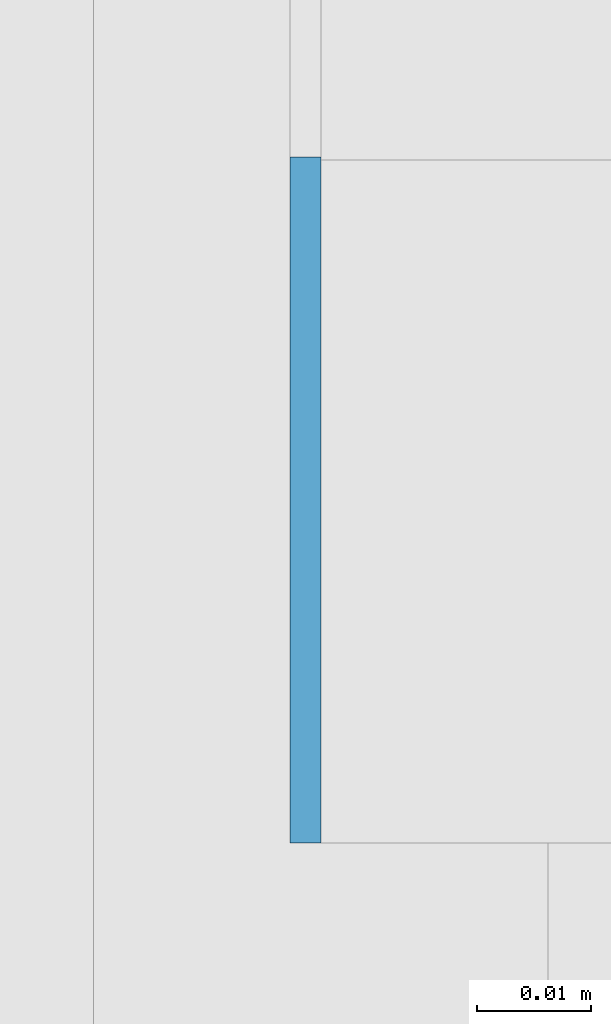
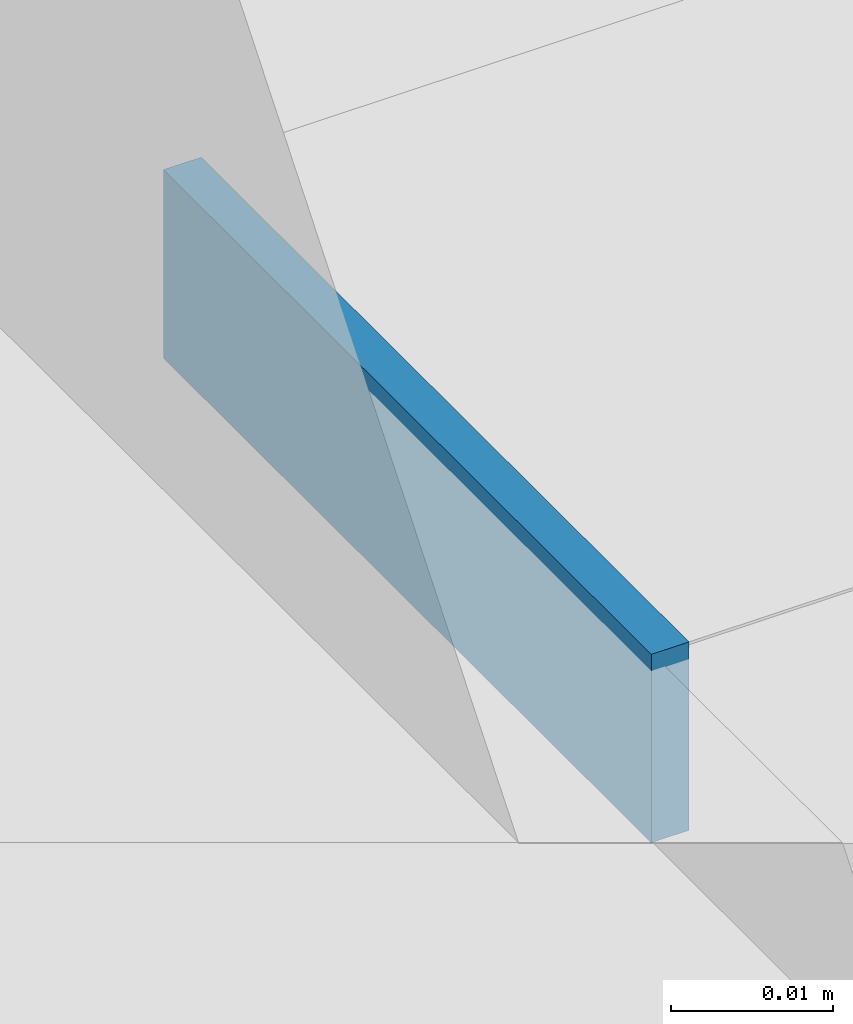
# One storey, part 617 of 646: 1 discrete accessory.
"""IFC4 building model written with IfcOpenShell, lengths in metres."""

from ifc_helpers import new_model, si_unit, direction, frame, origin, origin_2d, place, context, subcontext, project, spatial, rectangle, extrude, material, type_object, element, save


model = new_model("IFC4")

# Units and contexts
model_context = context("Model", 3, precision=1e-05, world=origin(), true_north=direction((0.0, 1.0)))
body_context = subcontext(model_context, "Body", "Model", "MODEL_VIEW")
ifc_project = project(units=[si_unit("LENGTHUNIT", "METRE"), si_unit("AREAUNIT", "SQUARE_METRE"), si_unit("VOLUMEUNIT", "CUBIC_METRE"), si_unit("PLANEANGLEUNIT", "RADIAN"), si_unit("MASSUNIT", "GRAM", prefix="KILO")], contexts=[model_context])

# Site, building, storey
site_placement = place(None, origin())
site = spatial("IfcSite", under=ifc_project, at=site_placement, CompositionType="ELEMENT")
building_placement = place(site_placement, origin())
building = spatial("IfcBuilding", under=site, at=building_placement, Name="Silverbay Arena", CompositionType="ELEMENT")
storey_placement = place(building_placement, frame((0.0, 0.0, 33.5)))
storey = spatial("IfcBuildingStorey", under=building, at=storey_placement, Name="L05", CompositionType="ELEMENT", Elevation=33.5)

# Discrete accessory
ifc_material = material(Name="Steel S355", Category="steel")
discrete_accessory_type = type_object("IfcDiscreteAccessoryType", Name="Steel bracket plate", PredefinedType="BRACKET", material=ifc_material)
discrete_accessory_placement = place(storey_placement, frame((207.128662109375, 134.570068359375, 12.98583984375), z_axis=(0.0, 0.0, 1.0), x_axis=(1.0, 0.0, 0.0)))
element("IfcDiscreteAccessory", 1, at=discrete_accessory_placement, inside=storey, type_object=discrete_accessory_type, Name="Curtain wall packing plate", PredefinedType="BRACKET", context=body_context, shape_type="SweptSolid", body=[
    extrude(rectangle(XDim=0.002685546875, YDim=0.06005859375, at=origin_2d()), origin(), (0.0, 0.0, 1.0), 0.01416015625),
])

save(model, "model.ifc")
